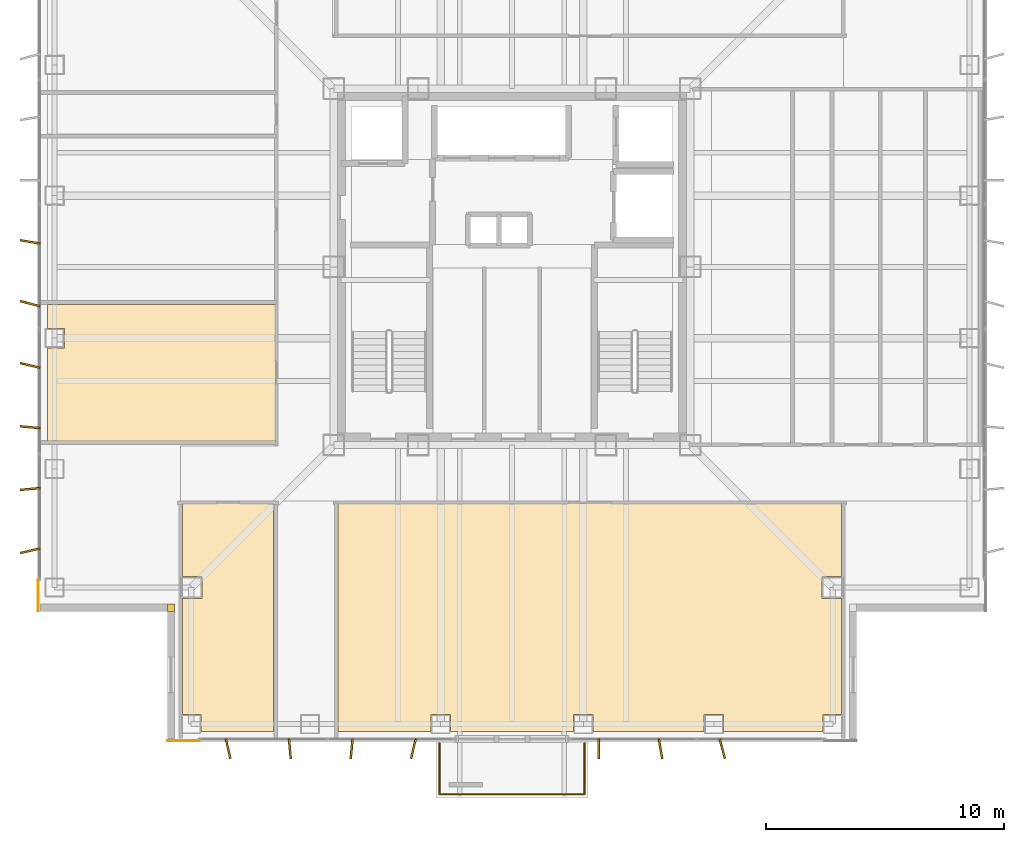
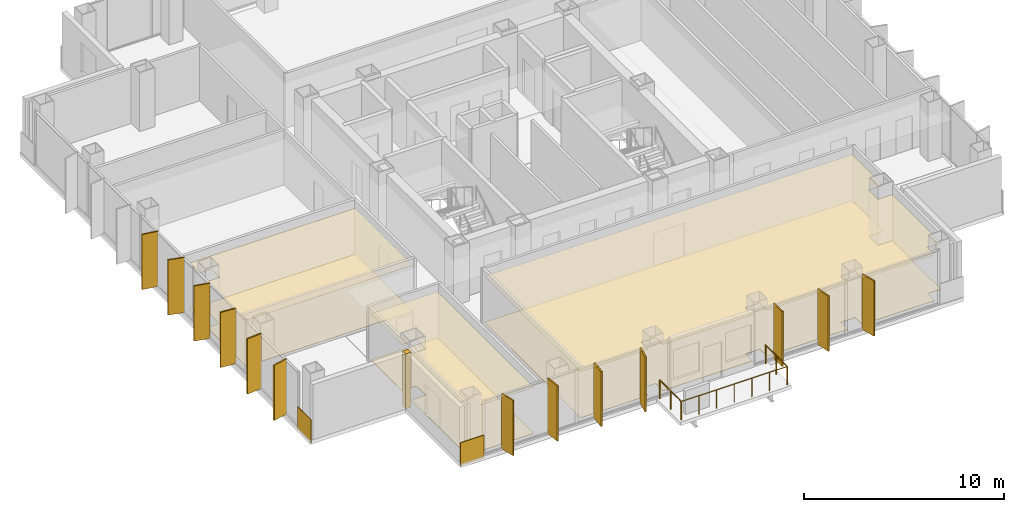
# One storey, part 11 of 13: 13 shading devices, 9 coverings, 3 railings.
"""IFC4 building model written with IfcOpenShell, lengths in metres."""

from ifc_helpers import new_model, si_unit, direction, frame, frame_2d, origin, origin_2d, place, context, subcontext, project, spatial, polyline, rectangle, circle, outline, extrude, material, layer, layer_set, type_object, element, save


model = new_model("IFC4")

# Units and contexts
model_context = context("Model", 3, precision=1e-05, world=origin(), true_north=direction((0.0, 1.0)))
body_context = subcontext(model_context, "Body", "Model", "MODEL_VIEW")
ifc_project = project(units=[si_unit("LENGTHUNIT", "METRE"), si_unit("AREAUNIT", "SQUARE_METRE"), si_unit("VOLUMEUNIT", "CUBIC_METRE"), si_unit("PLANEANGLEUNIT", "RADIAN"), si_unit("MASSUNIT", "GRAM", prefix="KILO")], contexts=[model_context])

# Site, building, storey
site_placement = place(None, origin())
site = spatial("IfcSite", under=ifc_project, at=site_placement, CompositionType="ELEMENT")
building_placement = place(site_placement, origin())
building = spatial("IfcBuilding", under=site, at=building_placement, Name="Trevonay Congress Spire", CompositionType="ELEMENT")
storey_placement = place(building_placement, frame((0.0, 0.0, 205.800048828125)))
storey = spatial("IfcBuildingStorey", under=building, at=storey_placement, Name="L53", CompositionType="ELEMENT", Elevation=205.800048828125)

# Coverings
ifc_material_1 = material(Name="Acoustic Mineral Fibre Board", Category="gypsum")
ifc_layer_1 = layer(ifc_material_1, 0.02490234375, Name="Acoustic Mineral Fibre Board")
ifc_layer_set_1 = layer_set([ifc_layer_1], Name="Acoustic Mineral Fibre Board")
covering_type_1 = type_object("IfcCoveringType", Name="COV-CEIL-ACOUSTIC", PredefinedType="CEILING", material=ifc_layer_set_1)
covering_1_placement = place(storey_placement, frame((0.0, 0.0, 2.81005859375)))
element("IfcCovering", 1, at=covering_1_placement, inside=storey, type_object=covering_type_1, Name="L53 Quiet Meditation Lounge acoustic suspended ceiling", PredefinedType="CEILING", context=body_context, shape_type="SweptSolid", body=[
    extrude(outline(polyline([(-13.8701171875, -9.929931640625), (-10.030029296875, -9.929931640625), (-10.030029296875, -19.550048828125), (-13.090087890625, -19.550048828125), (-13.090087890625, -18.840087890625), (-13.8701171875, -18.840087890625), (-13.8701171875, -13.9599609375), (-13.0400390625, -13.9599609375), (-13.0400390625, -13.0400390625), (-13.8701171875, -13.0400390625), (-13.8701171875, -9.929931640625)])), origin(), (0.0, 0.0, 1.0), 0.02490234375),
])
covering_2_placement = place(storey_placement, frame((0.0, 0.0, 2.81005859375)))
element("IfcCovering", 2, at=covering_2_placement, inside=storey, type_object=covering_type_1, Name="L53 Members Maritime Reference Library Lounge acoustic suspended ceiling", PredefinedType="CEILING", context=body_context, shape_type="SweptSolid", body=[
    extrude(outline(polyline([(-7.320068359375, -19.550048828125), (-7.320068359375, -9.929931640625), (13.8701171875, -9.929931640625), (13.8701171875, -13.0400390625), (13.0400390625, -13.0400390625), (13.0400390625, -13.9599609375), (13.8701171875, -13.9599609375), (13.8701171875, -18.840087890625), (13.090087890625, -18.840087890625), (13.090087890625, -19.550048828125), (8.909912109375, -19.550048828125), (8.909912109375, -18.840087890625), (8.090087890625, -18.840087890625), (8.090087890625, -19.550048828125), (3.409912109375, -19.550048828125), (3.409912109375, -18.840087890625), (2.590087890625, -18.840087890625), (2.590087890625, -19.550048828125), (-2.590087890625, -19.550048828125), (-2.590087890625, -18.840087890625), (-3.409912109375, -18.840087890625), (-3.409912109375, -19.550048828125), (-7.320068359375, -19.550048828125)])), origin(), (0.0, 0.0, 1.0), 0.02490234375),
])
covering_3_placement = place(storey_placement, frame((0.0, 0.0, 2.81005859375)))
element("IfcCovering", 3, at=covering_3_placement, inside=storey, type_object=covering_type_1, Name="L53 Hydrotherapy Lounge acoustic suspended ceiling", PredefinedType="CEILING", context=body_context, shape_type="SweptSolid", body=[
    extrude(outline(polyline([(-19.550048828125, -1.580078125), (-9.929931640625, -1.580078125), (-9.929931640625, -7.320068359375), (-19.550048828125, -7.320068359375), (-19.550048828125, -3.409912109375), (-18.840087890625, -3.409912109375), (-18.840087890625, -2.590087890625), (-19.550048828125, -2.590087890625), (-19.550048828125, -1.580078125)])), origin(), (0.0, 0.0, 1.0), 0.02490234375),
])
ifc_material_2 = material(Name="Engineered Oak Flooring", Category="wood")
ifc_layer_2 = layer(ifc_material_2, 0.01806640625, Name="Engineered Oak Flooring")
ifc_layer_set_2 = layer_set([ifc_layer_2], Name="Engineered Oak Flooring")
covering_type_2 = type_object("IfcCoveringType", Name="COV-FLOOR-TIMBER", PredefinedType="FLOORING", material=ifc_layer_set_2)
covering_4_placement = place(storey_placement, origin())
element("IfcCovering", 4, at=covering_4_placement, inside=storey, type_object=covering_type_2, Name="L53 Quiet Meditation Lounge floor finish", PredefinedType="FLOORING", context=body_context, shape_type="SweptSolid", body=[
    extrude(outline(polyline([(-13.8701171875, -9.929931640625), (-10.030029296875, -9.929931640625), (-10.030029296875, -19.550048828125), (-13.090087890625, -19.550048828125), (-13.090087890625, -18.840087890625), (-13.8701171875, -18.840087890625), (-13.8701171875, -13.9599609375), (-13.0400390625, -13.9599609375), (-13.0400390625, -13.0400390625), (-13.8701171875, -13.0400390625), (-13.8701171875, -9.929931640625)])), origin(), (0.0, 0.0, 1.0), 0.01806640625),
])
covering_5_placement = place(storey_placement, origin())
element("IfcCovering", 5, at=covering_5_placement, inside=storey, type_object=covering_type_2, Name="L53 Members Maritime Reference Library Lounge floor finish", PredefinedType="FLOORING", context=body_context, shape_type="SweptSolid", body=[
    extrude(outline(polyline([(-7.320068359375, -19.550048828125), (-7.320068359375, -9.929931640625), (13.8701171875, -9.929931640625), (13.8701171875, -13.0400390625), (13.0400390625, -13.0400390625), (13.0400390625, -13.9599609375), (13.8701171875, -13.9599609375), (13.8701171875, -18.840087890625), (13.090087890625, -18.840087890625), (13.090087890625, -19.550048828125), (8.909912109375, -19.550048828125), (8.909912109375, -18.840087890625), (8.090087890625, -18.840087890625), (8.090087890625, -19.550048828125), (3.409912109375, -19.550048828125), (3.409912109375, -18.840087890625), (2.590087890625, -18.840087890625), (2.590087890625, -19.550048828125), (-2.590087890625, -19.550048828125), (-2.590087890625, -18.840087890625), (-3.409912109375, -18.840087890625), (-3.409912109375, -19.550048828125), (-7.320068359375, -19.550048828125)])), origin(), (0.0, 0.0, 1.0), 0.01806640625),
])
covering_6_placement = place(storey_placement, origin())
element("IfcCovering", 6, at=covering_6_placement, inside=storey, type_object=covering_type_2, Name="L53 Hydrotherapy Lounge floor finish", PredefinedType="FLOORING", context=body_context, shape_type="SweptSolid", body=[
    extrude(outline(polyline([(-19.550048828125, -1.580078125), (-9.929931640625, -1.580078125), (-9.929931640625, -7.320068359375), (-19.550048828125, -7.320068359375), (-19.550048828125, -3.409912109375), (-18.840087890625, -3.409912109375), (-18.840087890625, -2.590087890625), (-19.550048828125, -2.590087890625), (-19.550048828125, -1.580078125)])), origin(), (0.0, 0.0, 1.0), 0.01806640625),
])
ifc_material_3 = material(Name="Pale Anodised Aluminium EN AW-6063-T6", Category="aluminium")
ifc_layer_3 = layer(ifc_material_3, 0.0400390625, Name="Pale Anodised Aluminium EN AW-6063-T6")
ifc_layer_set_3 = layer_set([ifc_layer_3], Name="Pale Anodised Aluminium EN AW-6063-T6")
covering_type_3 = type_object("IfcCoveringType", Name="COV-SPANDREL-PALE-METAL", PredefinedType="CLADDING", material=ifc_layer_set_3)
covering_7_placement = place(storey_placement, origin())
element("IfcCovering", 7, at=covering_7_placement, inside=storey, type_object=covering_type_3, Name="L53 SW re-entrant notch corner closure trim", PredefinedType="CLADDING", context=body_context, shape_type="SweptSolid", body=[
    extrude(outline(polyline([(-14.5, -14.5), (-14.199951171875, -14.5), (-14.199951171875, -14.199951171875), (-14.5, -14.199951171875), (-14.5, -14.5)])), origin(), (0.0, 0.0, 1.0), 3.35986328125),
])
for number, where, z_axis, x_axis, name in (
    (8, (-19.93994140625, -13.14990234375, -0.150146484375), (0.0, 0.0, 1.0), (0.0, -1.0, 0.0), "L53 SW corner pier spandrel cladding 1"),
    (9, (-13.14990234375, -19.93994140625, -0.150146484375), (0.0, 0.0, 1.0), (-1.0, 0.0, 0.0), "L53 SW corner pier spandrel cladding 2"),
):
    element("IfcCovering", number, at=place(storey_placement, frame(where, z_axis=z_axis, x_axis=x_axis)), inside=storey, type_object=covering_type_3, Name=name, PredefinedType="CLADDING", context=body_context, shape_type="SweptSolid", body=[
        extrude(rectangle(XDim=1.35009765625, YDim=0.0400390625, at=frame_2d((0.675048828125, 0.0))), origin(), (0.0, 0.0, 1.0), 1.400146484375),
    ])

# Railings
railing_type = type_object("IfcRailingType", Name="RAL-EXT-GUARD-115", PredefinedType="GUARDRAIL", material=ifc_material_3)
railing_1_placement = place(storey_placement, frame((-3.050048828125, -20.050048828125, 0.0)))
element("IfcRailing", 10, at=railing_1_placement, inside=storey, type_object=railing_type, Name="L53 perimeter safety guard GRD-L53-TBAL-S-1", PredefinedType="GUARDRAIL", context=body_context, shape_type="SweptSolid", body=[
    extrude(circle(Radius=0.02392578125, at=origin_2d()), frame((0.0, 0.0, 1.1259765625), z_axis=(0.0, -1.0, 0.0), x_axis=(1.0, 0.0, 0.0)), (0.0, 0.0, 1.0), 2.14990234375),
    extrude(circle(Radius=0.02099609375, at=origin_2d()), origin(), (0.0, 0.0, 1.0), 1.101806640625),
    extrude(circle(Radius=0.02099609375, at=origin_2d()), frame((0.0, -1.074951171875, 0.0)), (0.0, 0.0, 1.0), 1.101806640625),
    extrude(circle(Radius=0.02099609375, at=origin_2d()), frame((0.0, -2.14990234375, 0.0)), (0.0, 0.0, 1.0), 1.101806640625),
])
railing_2_placement = place(storey_placement, frame((-3.050048828125, -22.199951171875, 0.0)))
element("IfcRailing", 11, at=railing_2_placement, inside=storey, type_object=railing_type, Name="L53 perimeter safety guard GRD-L53-TBAL-S-2", PredefinedType="GUARDRAIL", context=body_context, shape_type="SweptSolid", body=[
    extrude(circle(Radius=0.02392578125, at=origin_2d()), frame((0.0, 0.0, 1.1259765625), z_axis=(1.0, 0.0, 0.0), x_axis=(0.0, 1.0, 0.0)), (0.0, 0.0, 1.0), 6.10009765625),
    extrude(circle(Radius=0.02099609375, at=origin_2d()), origin(), (0.0, 0.0, 1.0), 1.101806640625),
    extrude(circle(Radius=0.02099609375, at=origin_2d()), frame((1.0166015625, 0.0, 0.0)), (0.0, 0.0, 1.0), 1.101806640625),
    extrude(circle(Radius=0.02099609375, at=origin_2d()), frame((2.033447265625, 0.0, 0.0)), (0.0, 0.0, 1.0), 1.101806640625),
    extrude(circle(Radius=0.02099609375, at=origin_2d()), frame((3.050048828125, 0.0, 0.0)), (0.0, 0.0, 1.0), 1.101806640625),
    extrude(circle(Radius=0.02099609375, at=origin_2d()), frame((4.066650390625, 0.0, 0.0)), (0.0, 0.0, 1.0), 1.101806640625),
    extrude(circle(Radius=0.02099609375, at=origin_2d()), frame((5.08349609375, 0.0, 0.0)), (0.0, 0.0, 1.0), 1.101806640625),
    extrude(circle(Radius=0.02099609375, at=origin_2d()), frame((6.10009765625, 0.0, 0.0)), (0.0, 0.0, 1.0), 1.101806640625),
])
railing_3_placement = place(storey_placement, frame((3.050048828125, -22.199951171875, 0.0)))
element("IfcRailing", 12, at=railing_3_placement, inside=storey, type_object=railing_type, Name="L53 perimeter safety guard GRD-L53-TBAL-S-3", PredefinedType="GUARDRAIL", context=body_context, shape_type="SweptSolid", body=[
    extrude(circle(Radius=0.02392578125, at=origin_2d()), frame((0.0, 0.0, 1.1259765625), z_axis=(0.0, 1.0, 0.0), x_axis=(-1.0, 0.0, 0.0)), (0.0, 0.0, 1.0), 2.14990234375),
    extrude(circle(Radius=0.02099609375, at=origin_2d()), origin(), (0.0, 0.0, 1.0), 1.101806640625),
    extrude(circle(Radius=0.02099609375, at=origin_2d()), frame((0.0, 1.074951171875, 0.0)), (0.0, 0.0, 1.0), 1.101806640625),
    extrude(circle(Radius=0.02099609375, at=origin_2d()), frame((0.0, 2.14990234375, 0.0)), (0.0, 0.0, 1.0), 1.101806640625),
])

# Shading devices
shading_device_type = type_object("IfcShadingDeviceType", Name="SHD-FIN-Z3-PALE-METAL", PredefinedType="USERDEFINED", material=ifc_material_3)
for number, where, z_axis, x_axis, name in (
    (13, (-11.949951171875, -20.280029296875, 0.0), (0.0, 0.0, 1.0), (0.97440931131, 0.224780991261, 0.0), "L53 S vertical pale-metal solar fin 1"),
    (14, (-9.35009765625, -20.280029296875, 0.0), (0.0, 0.0, 1.0), (0.995994383933, 0.089415810539, 0.0), "L53 S vertical pale-metal solar fin 2"),
    (15, (-6.75, -20.280029296875, 0.0), (0.0, 0.0, 1.0), (0.995994383933, -0.089415810539, 0.0), "L53 S vertical pale-metal solar fin 3"),
    (16, (-4.14990234375, -20.280029296875, 0.0), (0.0, 0.0, 1.0), (0.97440931131, -0.224780991261, 0.0), "L53 S vertical pale-metal solar fin 4"),
    (17, (3.64990234375, -20.280029296875, 0.0), (0.0, 0.0, 1.0), (1.0, 0.0, 0.0), "L53 S vertical pale-metal solar fin 7"),
    (18, (6.25, -20.280029296875, 0.0), (0.0, 0.0, 1.0), (0.98587937025, 0.16745706111, 0.0), "L53 S vertical pale-metal solar fin 8"),
    (19, (8.85009765625, -20.280029296875, 0.0), (0.0, 0.0, 1.0), (0.966957007154, 0.2549394954, 0.0), "L53 S vertical pale-metal solar fin 9"),
    (20, (-20.280029296875, -11.949951171875, 0.0), (0.0, 0.0, 1.0), (-0.224780991261, 0.97440931131, 0.0), "L53 W vertical pale-metal solar fin 1"),
    (21, (-20.280029296875, -9.35009765625, 0.0), (0.0, 0.0, 1.0), (-0.089415810539, 0.995994383933, 0.0), "L53 W vertical pale-metal solar fin 2"),
    (22, (-20.280029296875, -6.75, 0.0), (0.0, 0.0, 1.0), (0.089415810539, 0.995994383933, 0.0), "L53 W vertical pale-metal solar fin 3"),
    (23, (-20.280029296875, -4.14990234375, 0.0), (0.0, 0.0, 1.0), (0.224780991261, 0.97440931131, 0.0), "L53 W vertical pale-metal solar fin 4"),
    (24, (-20.280029296875, -1.550048828125, 0.0), (0.0, 0.0, 1.0), (0.2549394954, 0.966957007154, 0.0), "L53 W vertical pale-metal solar fin 5"),
    (25, (-20.280029296875, 1.050048828125, 0.0), (0.0, 0.0, 1.0), (0.16745706111, 0.98587937025, 0.0), "L53 W vertical pale-metal solar fin 6"),
):
    element("IfcShadingDevice", number, at=place(storey_placement, frame(where, z_axis=z_axis, x_axis=x_axis)), inside=storey, type_object=shading_device_type, Name=name, ObjectType="SOLAR FIN", PredefinedType="USERDEFINED", context=body_context, shape_type="SweptSolid", body=[
        extrude(rectangle(XDim=0.080078125, YDim=0.85009765625, at=origin_2d()), origin(), (0.0, 0.0, 1.0), 3.360107421875),
    ])

save(model, "model.ifc")
